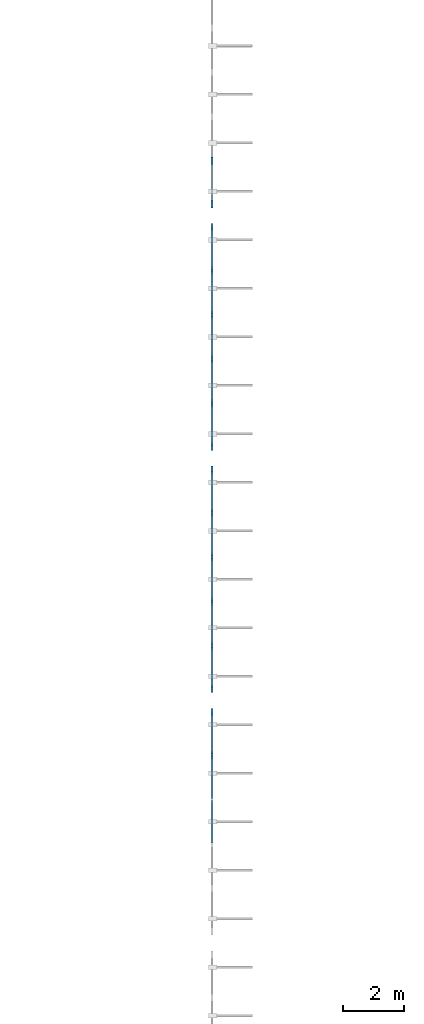
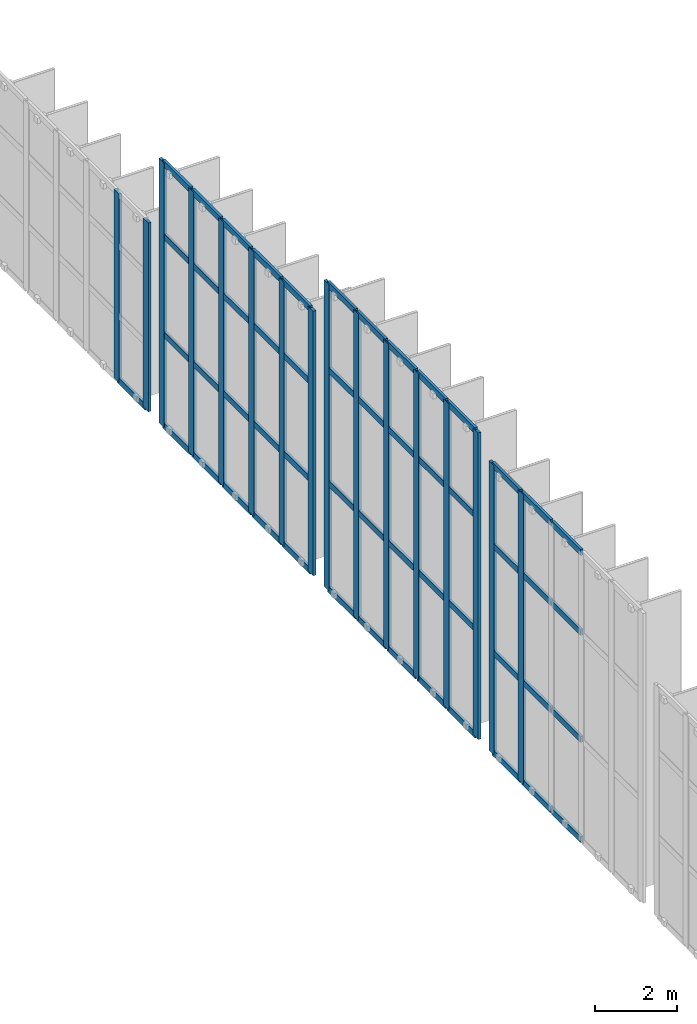
# One storey, part 9 of 38: 69 members, 4 elements without a shape of their own.
"""IFC4 building model written with IfcOpenShell, lengths in metres."""

from ifc_helpers import new_model, si_unit, direction, frame, origin, origin_2d, place, context, subcontext, project, spatial, rectangle, extrude, material, layer, layer_set, material_profile, profile_set, type_object, element, aggregate, save


model = new_model("IFC4")

# Units and contexts
model_context = context("Model", 3, precision=1e-05, world=origin(), true_north=direction((0.0, 1.0)))
body_context = subcontext(model_context, "Body", "Model", "MODEL_VIEW")
ifc_project = project(units=[si_unit("LENGTHUNIT", "METRE"), si_unit("AREAUNIT", "SQUARE_METRE"), si_unit("VOLUMEUNIT", "CUBIC_METRE"), si_unit("PLANEANGLEUNIT", "RADIAN"), si_unit("MASSUNIT", "GRAM", prefix="KILO")], contexts=[model_context])

# Site, building, storey
site_placement = place(None, origin())
site = spatial("IfcSite", under=ifc_project, at=site_placement, CompositionType="ELEMENT")
building_placement = place(site_placement, origin())
building = spatial("IfcBuilding", under=site, at=building_placement, Name="Drelvana Railside Aquatics Centre", CompositionType="ELEMENT")
storey_placement = place(building_placement, frame((0.0, 0.0, 14.39990234375)))
storey = spatial("IfcBuildingStorey", under=building, at=storey_placement, Name="L03", CompositionType="ELEMENT", Elevation=14.39990234375)

# Curtain wall, members
ifc_material_1 = material(Name="Bronze-anodised aluminium curtain wall", Category="aluminium")
ifc_layer = layer(ifc_material_1, 0.219970703125, Name="Bronze-anodised aluminium curtain wall")
ifc_layer_set = layer_set([ifc_layer], Name="Bronze-anodised aluminium curtain wall")
curtain_wall_type = type_object("IfcCurtainWallType", Name="CW-Z3-HIGH", PredefinedType="NOTDEFINED", material=ifc_layer_set)
curtain_wall_1_placement = place(storey_placement, origin())
curtain_wall_1 = element("IfcCurtainWall", 1, at=curtain_wall_1_placement, inside=storey, type_object=curtain_wall_type, Name="Curtain wall CW-03-066", PredefinedType="NOTDEFINED")
ifc_material_2 = material(Name="Bronze-anodised aluminium 6063-T6", Category="aluminium")
ifc_material_profile_1 = material_profile(ifc_material_2, rectangle(XDim=0.080078125, YDim=0.25, at=origin_2d()), Name="ALU-M 80x250")
ifc_profile_set_1 = profile_set([ifc_material_profile_1], Name="Bronze-anodised aluminium 6063-T6")
member_type_1 = type_object("IfcMemberType", Name="CW-Z3-HIGH-MUL", PredefinedType="MULLION", material=ifc_profile_set_1)
member_1_placement = place(storey_placement, frame((96.0, 46.193603515625, -0.005859375), z_axis=(0.0, 0.0, 1.0), x_axis=(-1.0, 0.0, 0.0)))
member_1 = element("IfcMember", 2, at=member_1_placement, type_object=member_type_1, Name="CW-03 mullion 5", PredefinedType="MULLION", context=body_context, shape_type="SweptSolid", body=[
    extrude(rectangle(XDim=0.080078125, YDim=0.25, at=origin_2d()), origin(), (0.0, 0.0, 1.0), 8.576904296875),
])
member_2_placement = place(storey_placement, frame((96.0, 47.615966796875, -0.005859375), z_axis=(0.0, 0.0, 1.0), x_axis=(-1.0, 0.0, 0.0)))
member_2 = element("IfcMember", 3, at=member_2_placement, type_object=member_type_1, Name="CW-03 mullion 6", PredefinedType="MULLION", context=body_context, shape_type="SweptSolid", body=[
    extrude(rectangle(XDim=0.080078125, YDim=0.25, at=origin_2d()), origin(), (0.0, 0.0, 1.0), 8.576904296875),
])

curtain_wall_2_placement = place(storey_placement, origin())
curtain_wall_2 = element("IfcCurtainWall", 4, at=curtain_wall_2_placement, inside=storey, type_object=curtain_wall_type, Name="Curtain wall CW-03-069", PredefinedType="NOTDEFINED")
member_3_placement = place(storey_placement, frame((96.0, 48.384033203125, -0.005859375), z_axis=(0.0, 0.0, 1.0), x_axis=(-1.0, 0.0, 0.0)))
member_3 = element("IfcMember", 5, at=member_3_placement, type_object=member_type_1, Name="CW-03 mullion 1", PredefinedType="MULLION", context=body_context, shape_type="SweptSolid", body=[
    extrude(rectangle(XDim=0.080078125, YDim=0.25, at=origin_2d()), origin(), (0.0, 0.0, 1.0), 9.075927734375),
])
member_4_placement = place(storey_placement, frame((96.0, 49.806396484375, -0.005859375), z_axis=(0.0, 0.0, 1.0), x_axis=(-1.0, 0.0, 0.0)))
member_4 = element("IfcMember", 6, at=member_4_placement, type_object=member_type_1, Name="CW-03 mullion 2", PredefinedType="MULLION", context=body_context, shape_type="SweptSolid", body=[
    extrude(rectangle(XDim=0.080078125, YDim=0.25, at=origin_2d()), origin(), (0.0, 0.0, 1.0), 9.075927734375),
])
member_5_placement = place(storey_placement, frame((96.0, 51.268798828125, -0.005859375), z_axis=(0.0, 0.0, 1.0), x_axis=(-1.0, 0.0, 0.0)))
member_5 = element("IfcMember", 7, at=member_5_placement, type_object=member_type_1, Name="CW-03 mullion 3", PredefinedType="MULLION", context=body_context, shape_type="SweptSolid", body=[
    extrude(rectangle(XDim=0.080078125, YDim=0.25, at=origin_2d()), origin(), (0.0, 0.0, 1.0), 9.075927734375),
])
member_6_placement = place(storey_placement, frame((96.0, 52.731201171875, -0.005859375), z_axis=(0.0, 0.0, 1.0), x_axis=(-1.0, 0.0, 0.0)))
member_6 = element("IfcMember", 8, at=member_6_placement, type_object=member_type_1, Name="CW-03 mullion 4", PredefinedType="MULLION", context=body_context, shape_type="SweptSolid", body=[
    extrude(rectangle(XDim=0.080078125, YDim=0.25, at=origin_2d()), origin(), (0.0, 0.0, 1.0), 9.075927734375),
])
member_7_placement = place(storey_placement, frame((96.0, 54.193603515625, -0.005859375), z_axis=(0.0, 0.0, 1.0), x_axis=(-1.0, 0.0, 0.0)))
member_7 = element("IfcMember", 9, at=member_7_placement, type_object=member_type_1, Name="CW-03 mullion 5", PredefinedType="MULLION", context=body_context, shape_type="SweptSolid", body=[
    extrude(rectangle(XDim=0.080078125, YDim=0.25, at=origin_2d()), origin(), (0.0, 0.0, 1.0), 9.075927734375),
])
member_8_placement = place(storey_placement, frame((96.0, 55.615966796875, -0.005859375), z_axis=(0.0, 0.0, 1.0), x_axis=(-1.0, 0.0, 0.0)))
member_8 = element("IfcMember", 10, at=member_8_placement, type_object=member_type_1, Name="CW-03 mullion 6", PredefinedType="MULLION", context=body_context, shape_type="SweptSolid", body=[
    extrude(rectangle(XDim=0.080078125, YDim=0.25, at=origin_2d()), origin(), (0.0, 0.0, 1.0), 9.075927734375),
])

curtain_wall_3_placement = place(storey_placement, origin())
curtain_wall_3 = element("IfcCurtainWall", 11, at=curtain_wall_3_placement, inside=storey, type_object=curtain_wall_type, Name="Curtain wall CW-03-073", PredefinedType="NOTDEFINED")
member_9_placement = place(storey_placement, frame((96.0, 56.384033203125, -0.005859375), z_axis=(0.0, 0.0, 1.0), x_axis=(-1.0, 0.0, 0.0)))
member_9 = element("IfcMember", 12, at=member_9_placement, type_object=member_type_1, Name="CW-03 mullion 1", PredefinedType="MULLION", context=body_context, shape_type="SweptSolid", body=[
    extrude(rectangle(XDim=0.080078125, YDim=0.25, at=origin_2d()), origin(), (0.0, 0.0, 1.0), 7.830078125),
])
member_10_placement = place(storey_placement, frame((96.0, 57.806396484375, -0.005859375), z_axis=(0.0, 0.0, 1.0), x_axis=(-1.0, 0.0, 0.0)))
member_10 = element("IfcMember", 13, at=member_10_placement, type_object=member_type_1, Name="CW-03 mullion 2", PredefinedType="MULLION", context=body_context, shape_type="SweptSolid", body=[
    extrude(rectangle(XDim=0.080078125, YDim=0.25, at=origin_2d()), origin(), (0.0, 0.0, 1.0), 7.830078125),
])
member_11_placement = place(storey_placement, frame((96.0, 59.268798828125, -0.005859375), z_axis=(0.0, 0.0, 1.0), x_axis=(-1.0, 0.0, 0.0)))
member_11 = element("IfcMember", 14, at=member_11_placement, type_object=member_type_1, Name="CW-03 mullion 3", PredefinedType="MULLION", context=body_context, shape_type="SweptSolid", body=[
    extrude(rectangle(XDim=0.080078125, YDim=0.25, at=origin_2d()), origin(), (0.0, 0.0, 1.0), 7.830078125),
])
member_12_placement = place(storey_placement, frame((96.0, 60.731201171875, -0.005859375), z_axis=(0.0, 0.0, 1.0), x_axis=(-1.0, 0.0, 0.0)))
member_12 = element("IfcMember", 15, at=member_12_placement, type_object=member_type_1, Name="CW-03 mullion 4", PredefinedType="MULLION", context=body_context, shape_type="SweptSolid", body=[
    extrude(rectangle(XDim=0.080078125, YDim=0.25, at=origin_2d()), origin(), (0.0, 0.0, 1.0), 7.830078125),
])
member_13_placement = place(storey_placement, frame((96.0, 62.193603515625, -0.005859375), z_axis=(0.0, 0.0, 1.0), x_axis=(-1.0, 0.0, 0.0)))
member_13 = element("IfcMember", 16, at=member_13_placement, type_object=member_type_1, Name="CW-03 mullion 5", PredefinedType="MULLION", context=body_context, shape_type="SweptSolid", body=[
    extrude(rectangle(XDim=0.080078125, YDim=0.25, at=origin_2d()), origin(), (0.0, 0.0, 1.0), 7.830078125),
])
member_14_placement = place(storey_placement, frame((96.0, 63.615966796875, -0.005859375), z_axis=(0.0, 0.0, 1.0), x_axis=(-1.0, 0.0, 0.0)))
member_14 = element("IfcMember", 17, at=member_14_placement, type_object=member_type_1, Name="CW-03 mullion 6", PredefinedType="MULLION", context=body_context, shape_type="SweptSolid", body=[
    extrude(rectangle(XDim=0.080078125, YDim=0.25, at=origin_2d()), origin(), (0.0, 0.0, 1.0), 7.830078125),
])

curtain_wall_4_placement = place(storey_placement, origin())
curtain_wall_4 = element("IfcCurtainWall", 18, at=curtain_wall_4_placement, inside=storey, type_object=curtain_wall_type, Name="Curtain wall CW-03-077", PredefinedType="NOTDEFINED")
member_15_placement = place(storey_placement, frame((96.0, 64.384033203125, -0.005859375), z_axis=(0.0, 0.0, 1.0), x_axis=(-1.0, 0.0, 0.0)))
member_15 = element("IfcMember", 19, at=member_15_placement, type_object=member_type_1, Name="CW-03 mullion 1", PredefinedType="MULLION", context=body_context, shape_type="SweptSolid", body=[
    extrude(rectangle(XDim=0.080078125, YDim=0.25, at=origin_2d()), origin(), (0.0, 0.0, 1.0), 5.587890625),
])
member_16_placement = place(storey_placement, frame((96.0, 65.806396484375, -0.005859375), z_axis=(0.0, 0.0, 1.0), x_axis=(-1.0, 0.0, 0.0)))
member_16 = element("IfcMember", 20, at=member_16_placement, type_object=member_type_1, Name="CW-03 mullion 2", PredefinedType="MULLION", context=body_context, shape_type="SweptSolid", body=[
    extrude(rectangle(XDim=0.080078125, YDim=0.25, at=origin_2d()), origin(), (0.0, 0.0, 1.0), 5.587890625),
])

# Member
ifc_material_profile_2 = material_profile(ifc_material_2, rectangle(XDim=0.179931640625, YDim=0.074951171875, at=origin_2d()), Name="ALU-T 75x180")
ifc_profile_set_2 = profile_set([ifc_material_profile_2], Name="Bronze-anodised aluminium 6063-T6")
member_type_2 = type_object("IfcMemberType", Name="CW-Z3-HIGH-TRN", PredefinedType="USERDEFINED", material=ifc_profile_set_2)
member_17_placement = place(storey_placement, frame((96.0, 43.3037109375, 0.031494140625), z_axis=(0.0, 1.0, 0.0), x_axis=(0.0, 0.0, 1.0)))
member_17 = element("IfcMember", 21, at=member_17_placement, type_object=member_type_2, Name="CW-03 transom 3.1", ObjectType="TRANSOM", PredefinedType="USERDEFINED", context=body_context, shape_type="SweptSolid", body=[
    extrude(rectangle(XDim=0.179931640625, YDim=0.074951171875, at=origin_2d()), origin(), (0.0, 0.0, 1.0), 1.392578125),
])

member_18_placement = place(storey_placement, frame((96.0, 43.3037109375, 2.99609375), z_axis=(0.0, 1.0, 0.0), x_axis=(0.0, 0.0, 1.0)))
member_18 = element("IfcMember", 22, at=member_18_placement, type_object=member_type_2, Name="CW-03 transom 3.2", ObjectType="TRANSOM", PredefinedType="USERDEFINED", context=body_context, shape_type="SweptSolid", body=[
    extrude(rectangle(XDim=0.179931640625, YDim=0.074951171875, at=origin_2d()), origin(), (0.0, 0.0, 1.0), 1.392578125),
])

member_19_placement = place(storey_placement, frame((96.0, 43.3037109375, 6.169189453125), z_axis=(0.0, 1.0, 0.0), x_axis=(0.0, 0.0, 1.0)))
member_19 = element("IfcMember", 23, at=member_19_placement, type_object=member_type_2, Name="CW-03 transom 3.3", ObjectType="TRANSOM", PredefinedType="USERDEFINED", context=body_context, shape_type="SweptSolid", body=[
    extrude(rectangle(XDim=0.179931640625, YDim=0.074951171875, at=origin_2d()), origin(), (0.0, 0.0, 1.0), 1.392578125),
])

member_20_placement = place(storey_placement, frame((96.0, 43.3037109375, 8.53369140625), z_axis=(0.0, 1.0, 0.0), x_axis=(0.0, 0.0, 1.0)))
member_20 = element("IfcMember", 24, at=member_20_placement, type_object=member_type_2, Name="CW-03 transom 3.4", ObjectType="TRANSOM", PredefinedType="USERDEFINED", context=body_context, shape_type="SweptSolid", body=[
    extrude(rectangle(XDim=0.179931640625, YDim=0.074951171875, at=origin_2d()), origin(), (0.0, 0.0, 1.0), 1.392578125),
])

member_21_placement = place(storey_placement, frame((96.0, 44.76611328125, 0.031494140625), z_axis=(0.0, 1.0, 0.0), x_axis=(0.0, 0.0, 1.0)))
member_21 = element("IfcMember", 25, at=member_21_placement, type_object=member_type_2, Name="CW-03 transom 4.1", ObjectType="TRANSOM", PredefinedType="USERDEFINED", context=body_context, shape_type="SweptSolid", body=[
    extrude(rectangle(XDim=0.179931640625, YDim=0.074951171875, at=origin_2d()), origin(), (0.0, 0.0, 1.0), 1.392578125),
])

member_22_placement = place(storey_placement, frame((96.0, 44.76611328125, 2.99609375), z_axis=(0.0, 1.0, 0.0), x_axis=(0.0, 0.0, 1.0)))
member_22 = element("IfcMember", 26, at=member_22_placement, type_object=member_type_2, Name="CW-03 transom 4.2", ObjectType="TRANSOM", PredefinedType="USERDEFINED", context=body_context, shape_type="SweptSolid", body=[
    extrude(rectangle(XDim=0.179931640625, YDim=0.074951171875, at=origin_2d()), origin(), (0.0, 0.0, 1.0), 1.392578125),
])

member_23_placement = place(storey_placement, frame((96.0, 44.76611328125, 6.169189453125), z_axis=(0.0, 1.0, 0.0), x_axis=(0.0, 0.0, 1.0)))
member_23 = element("IfcMember", 27, at=member_23_placement, type_object=member_type_2, Name="CW-03 transom 4.3", ObjectType="TRANSOM", PredefinedType="USERDEFINED", context=body_context, shape_type="SweptSolid", body=[
    extrude(rectangle(XDim=0.179931640625, YDim=0.074951171875, at=origin_2d()), origin(), (0.0, 0.0, 1.0), 1.392578125),
])

member_24_placement = place(storey_placement, frame((96.0, 44.76611328125, 8.53369140625), z_axis=(0.0, 1.0, 0.0), x_axis=(0.0, 0.0, 1.0)))
member_24 = element("IfcMember", 28, at=member_24_placement, type_object=member_type_2, Name="CW-03 transom 4.4", ObjectType="TRANSOM", PredefinedType="USERDEFINED", context=body_context, shape_type="SweptSolid", body=[
    extrude(rectangle(XDim=0.179931640625, YDim=0.074951171875, at=origin_2d()), origin(), (0.0, 0.0, 1.0), 1.392578125),
])

member_25_placement = place(storey_placement, frame((96.0, 46.228515625, 0.031494140625), z_axis=(0.0, 1.0, 0.0), x_axis=(0.0, 0.0, 1.0)))
member_25 = element("IfcMember", 29, at=member_25_placement, type_object=member_type_2, Name="CW-03 transom 5.1", ObjectType="TRANSOM", PredefinedType="USERDEFINED", context=body_context, shape_type="SweptSolid", body=[
    extrude(rectangle(XDim=0.179931640625, YDim=0.074951171875, at=origin_2d()), origin(), (0.0, 0.0, 1.0), 1.3525390625),
])

member_26_placement = place(storey_placement, frame((96.0, 46.228515625, 2.99609375), z_axis=(0.0, 1.0, 0.0), x_axis=(0.0, 0.0, 1.0)))
member_26 = element("IfcMember", 30, at=member_26_placement, type_object=member_type_2, Name="CW-03 transom 5.2", ObjectType="TRANSOM", PredefinedType="USERDEFINED", context=body_context, shape_type="SweptSolid", body=[
    extrude(rectangle(XDim=0.179931640625, YDim=0.074951171875, at=origin_2d()), origin(), (0.0, 0.0, 1.0), 1.3525390625),
])

member_27_placement = place(storey_placement, frame((96.0, 46.228515625, 6.169189453125), z_axis=(0.0, 1.0, 0.0), x_axis=(0.0, 0.0, 1.0)))
member_27 = element("IfcMember", 31, at=member_27_placement, type_object=member_type_2, Name="CW-03 transom 5.3", ObjectType="TRANSOM", PredefinedType="USERDEFINED", context=body_context, shape_type="SweptSolid", body=[
    extrude(rectangle(XDim=0.179931640625, YDim=0.074951171875, at=origin_2d()), origin(), (0.0, 0.0, 1.0), 1.3525390625),
])

member_28_placement = place(storey_placement, frame((96.0, 46.228515625, 8.53369140625), z_axis=(0.0, 1.0, 0.0), x_axis=(0.0, 0.0, 1.0)))
member_28 = element("IfcMember", 32, at=member_28_placement, type_object=member_type_2, Name="CW-03 transom 5.4", ObjectType="TRANSOM", PredefinedType="USERDEFINED", context=body_context, shape_type="SweptSolid", body=[
    extrude(rectangle(XDim=0.179931640625, YDim=0.074951171875, at=origin_2d()), origin(), (0.0, 0.0, 1.0), 1.3525390625),
])

aggregate(curtain_wall_1, [member_1, member_2, member_17, member_18, member_19, member_20, member_21, member_22, member_23, member_24, member_25, member_26, member_27, member_28])

member_29_placement = place(storey_placement, frame((96.0, 48.4189453125, 0.031494140625), z_axis=(0.0, 1.0, 0.0), x_axis=(0.0, 0.0, 1.0)))
member_29 = element("IfcMember", 33, at=member_29_placement, type_object=member_type_2, Name="CW-03 transom 1.1", ObjectType="TRANSOM", PredefinedType="USERDEFINED", context=body_context, shape_type="SweptSolid", body=[
    extrude(rectangle(XDim=0.179931640625, YDim=0.074951171875, at=origin_2d()), origin(), (0.0, 0.0, 1.0), 1.3525390625),
])

member_30_placement = place(storey_placement, frame((96.0, 48.4189453125, 3.171142578125), z_axis=(0.0, 1.0, 0.0), x_axis=(0.0, 0.0, 1.0)))
member_30 = element("IfcMember", 34, at=member_30_placement, type_object=member_type_2, Name="CW-03 transom 1.2", ObjectType="TRANSOM", PredefinedType="USERDEFINED", context=body_context, shape_type="SweptSolid", body=[
    extrude(rectangle(XDim=0.179931640625, YDim=0.074951171875, at=origin_2d()), origin(), (0.0, 0.0, 1.0), 1.3525390625),
])

member_31_placement = place(storey_placement, frame((96.0, 48.4189453125, 6.529052734375), z_axis=(0.0, 1.0, 0.0), x_axis=(0.0, 0.0, 1.0)))
member_31 = element("IfcMember", 35, at=member_31_placement, type_object=member_type_2, Name="CW-03 transom 1.3", ObjectType="TRANSOM", PredefinedType="USERDEFINED", context=body_context, shape_type="SweptSolid", body=[
    extrude(rectangle(XDim=0.179931640625, YDim=0.074951171875, at=origin_2d()), origin(), (0.0, 0.0, 1.0), 1.3525390625),
])

member_32_placement = place(storey_placement, frame((96.0, 48.4189453125, 9.03271484375), z_axis=(0.0, 1.0, 0.0), x_axis=(0.0, 0.0, 1.0)))
member_32 = element("IfcMember", 36, at=member_32_placement, type_object=member_type_2, Name="CW-03 transom 1.4", ObjectType="TRANSOM", PredefinedType="USERDEFINED", context=body_context, shape_type="SweptSolid", body=[
    extrude(rectangle(XDim=0.179931640625, YDim=0.074951171875, at=origin_2d()), origin(), (0.0, 0.0, 1.0), 1.3525390625),
])

member_33_placement = place(storey_placement, frame((96.0, 49.84130859375, 0.031494140625), z_axis=(0.0, 1.0, 0.0), x_axis=(0.0, 0.0, 1.0)))
member_33 = element("IfcMember", 37, at=member_33_placement, type_object=member_type_2, Name="CW-03 transom 2.1", ObjectType="TRANSOM", PredefinedType="USERDEFINED", context=body_context, shape_type="SweptSolid", body=[
    extrude(rectangle(XDim=0.179931640625, YDim=0.074951171875, at=origin_2d()), origin(), (0.0, 0.0, 1.0), 1.392578125),
])

member_34_placement = place(storey_placement, frame((96.0, 49.84130859375, 3.171142578125), z_axis=(0.0, 1.0, 0.0), x_axis=(0.0, 0.0, 1.0)))
member_34 = element("IfcMember", 38, at=member_34_placement, type_object=member_type_2, Name="CW-03 transom 2.2", ObjectType="TRANSOM", PredefinedType="USERDEFINED", context=body_context, shape_type="SweptSolid", body=[
    extrude(rectangle(XDim=0.179931640625, YDim=0.074951171875, at=origin_2d()), origin(), (0.0, 0.0, 1.0), 1.392578125),
])

member_35_placement = place(storey_placement, frame((96.0, 49.84130859375, 6.529052734375), z_axis=(0.0, 1.0, 0.0), x_axis=(0.0, 0.0, 1.0)))
member_35 = element("IfcMember", 39, at=member_35_placement, type_object=member_type_2, Name="CW-03 transom 2.3", ObjectType="TRANSOM", PredefinedType="USERDEFINED", context=body_context, shape_type="SweptSolid", body=[
    extrude(rectangle(XDim=0.179931640625, YDim=0.074951171875, at=origin_2d()), origin(), (0.0, 0.0, 1.0), 1.392578125),
])

member_36_placement = place(storey_placement, frame((96.0, 49.84130859375, 9.03271484375), z_axis=(0.0, 1.0, 0.0), x_axis=(0.0, 0.0, 1.0)))
member_36 = element("IfcMember", 40, at=member_36_placement, type_object=member_type_2, Name="CW-03 transom 2.4", ObjectType="TRANSOM", PredefinedType="USERDEFINED", context=body_context, shape_type="SweptSolid", body=[
    extrude(rectangle(XDim=0.179931640625, YDim=0.074951171875, at=origin_2d()), origin(), (0.0, 0.0, 1.0), 1.392578125),
])

member_37_placement = place(storey_placement, frame((96.0, 51.3037109375, 0.031494140625), z_axis=(0.0, 1.0, 0.0), x_axis=(0.0, 0.0, 1.0)))
member_37 = element("IfcMember", 41, at=member_37_placement, type_object=member_type_2, Name="CW-03 transom 3.1", ObjectType="TRANSOM", PredefinedType="USERDEFINED", context=body_context, shape_type="SweptSolid", body=[
    extrude(rectangle(XDim=0.179931640625, YDim=0.074951171875, at=origin_2d()), origin(), (0.0, 0.0, 1.0), 1.392578125),
])

member_38_placement = place(storey_placement, frame((96.0, 51.3037109375, 3.171142578125), z_axis=(0.0, 1.0, 0.0), x_axis=(0.0, 0.0, 1.0)))
member_38 = element("IfcMember", 42, at=member_38_placement, type_object=member_type_2, Name="CW-03 transom 3.2", ObjectType="TRANSOM", PredefinedType="USERDEFINED", context=body_context, shape_type="SweptSolid", body=[
    extrude(rectangle(XDim=0.179931640625, YDim=0.074951171875, at=origin_2d()), origin(), (0.0, 0.0, 1.0), 1.392578125),
])

member_39_placement = place(storey_placement, frame((96.0, 51.3037109375, 6.529052734375), z_axis=(0.0, 1.0, 0.0), x_axis=(0.0, 0.0, 1.0)))
member_39 = element("IfcMember", 43, at=member_39_placement, type_object=member_type_2, Name="CW-03 transom 3.3", ObjectType="TRANSOM", PredefinedType="USERDEFINED", context=body_context, shape_type="SweptSolid", body=[
    extrude(rectangle(XDim=0.179931640625, YDim=0.074951171875, at=origin_2d()), origin(), (0.0, 0.0, 1.0), 1.392578125),
])

member_40_placement = place(storey_placement, frame((96.0, 51.3037109375, 9.03271484375), z_axis=(0.0, 1.0, 0.0), x_axis=(0.0, 0.0, 1.0)))
member_40 = element("IfcMember", 44, at=member_40_placement, type_object=member_type_2, Name="CW-03 transom 3.4", ObjectType="TRANSOM", PredefinedType="USERDEFINED", context=body_context, shape_type="SweptSolid", body=[
    extrude(rectangle(XDim=0.179931640625, YDim=0.074951171875, at=origin_2d()), origin(), (0.0, 0.0, 1.0), 1.392578125),
])

member_41_placement = place(storey_placement, frame((96.0, 52.76611328125, 0.031494140625), z_axis=(0.0, 1.0, 0.0), x_axis=(0.0, 0.0, 1.0)))
member_41 = element("IfcMember", 45, at=member_41_placement, type_object=member_type_2, Name="CW-03 transom 4.1", ObjectType="TRANSOM", PredefinedType="USERDEFINED", context=body_context, shape_type="SweptSolid", body=[
    extrude(rectangle(XDim=0.179931640625, YDim=0.074951171875, at=origin_2d()), origin(), (0.0, 0.0, 1.0), 1.392578125),
])

member_42_placement = place(storey_placement, frame((96.0, 52.76611328125, 3.171142578125), z_axis=(0.0, 1.0, 0.0), x_axis=(0.0, 0.0, 1.0)))
member_42 = element("IfcMember", 46, at=member_42_placement, type_object=member_type_2, Name="CW-03 transom 4.2", ObjectType="TRANSOM", PredefinedType="USERDEFINED", context=body_context, shape_type="SweptSolid", body=[
    extrude(rectangle(XDim=0.179931640625, YDim=0.074951171875, at=origin_2d()), origin(), (0.0, 0.0, 1.0), 1.392578125),
])

member_43_placement = place(storey_placement, frame((96.0, 52.76611328125, 6.529052734375), z_axis=(0.0, 1.0, 0.0), x_axis=(0.0, 0.0, 1.0)))
member_43 = element("IfcMember", 47, at=member_43_placement, type_object=member_type_2, Name="CW-03 transom 4.3", ObjectType="TRANSOM", PredefinedType="USERDEFINED", context=body_context, shape_type="SweptSolid", body=[
    extrude(rectangle(XDim=0.179931640625, YDim=0.074951171875, at=origin_2d()), origin(), (0.0, 0.0, 1.0), 1.392578125),
])

member_44_placement = place(storey_placement, frame((96.0, 52.76611328125, 9.03271484375), z_axis=(0.0, 1.0, 0.0), x_axis=(0.0, 0.0, 1.0)))
member_44 = element("IfcMember", 48, at=member_44_placement, type_object=member_type_2, Name="CW-03 transom 4.4", ObjectType="TRANSOM", PredefinedType="USERDEFINED", context=body_context, shape_type="SweptSolid", body=[
    extrude(rectangle(XDim=0.179931640625, YDim=0.074951171875, at=origin_2d()), origin(), (0.0, 0.0, 1.0), 1.392578125),
])

member_45_placement = place(storey_placement, frame((96.0, 54.228515625, 0.031494140625), z_axis=(0.0, 1.0, 0.0), x_axis=(0.0, 0.0, 1.0)))
member_45 = element("IfcMember", 49, at=member_45_placement, type_object=member_type_2, Name="CW-03 transom 5.1", ObjectType="TRANSOM", PredefinedType="USERDEFINED", context=body_context, shape_type="SweptSolid", body=[
    extrude(rectangle(XDim=0.179931640625, YDim=0.074951171875, at=origin_2d()), origin(), (0.0, 0.0, 1.0), 1.3525390625),
])

member_46_placement = place(storey_placement, frame((96.0, 54.228515625, 3.171142578125), z_axis=(0.0, 1.0, 0.0), x_axis=(0.0, 0.0, 1.0)))
member_46 = element("IfcMember", 50, at=member_46_placement, type_object=member_type_2, Name="CW-03 transom 5.2", ObjectType="TRANSOM", PredefinedType="USERDEFINED", context=body_context, shape_type="SweptSolid", body=[
    extrude(rectangle(XDim=0.179931640625, YDim=0.074951171875, at=origin_2d()), origin(), (0.0, 0.0, 1.0), 1.3525390625),
])

member_47_placement = place(storey_placement, frame((96.0, 54.228515625, 6.529052734375), z_axis=(0.0, 1.0, 0.0), x_axis=(0.0, 0.0, 1.0)))
member_47 = element("IfcMember", 51, at=member_47_placement, type_object=member_type_2, Name="CW-03 transom 5.3", ObjectType="TRANSOM", PredefinedType="USERDEFINED", context=body_context, shape_type="SweptSolid", body=[
    extrude(rectangle(XDim=0.179931640625, YDim=0.074951171875, at=origin_2d()), origin(), (0.0, 0.0, 1.0), 1.3525390625),
])

member_48_placement = place(storey_placement, frame((96.0, 54.228515625, 9.03271484375), z_axis=(0.0, 1.0, 0.0), x_axis=(0.0, 0.0, 1.0)))
member_48 = element("IfcMember", 52, at=member_48_placement, type_object=member_type_2, Name="CW-03 transom 5.4", ObjectType="TRANSOM", PredefinedType="USERDEFINED", context=body_context, shape_type="SweptSolid", body=[
    extrude(rectangle(XDim=0.179931640625, YDim=0.074951171875, at=origin_2d()), origin(), (0.0, 0.0, 1.0), 1.3525390625),
])

aggregate(curtain_wall_2, [member_3, member_4, member_5, member_6, member_7, member_8, member_29, member_30, member_31, member_32, member_33, member_34, member_35, member_36, member_37, member_38, member_39, member_40, member_41, member_42, member_43, member_44, member_45, member_46, member_47, member_48])

member_49_placement = place(storey_placement, frame((96.0, 56.4189453125, 0.031494140625), z_axis=(0.0, 1.0, 0.0), x_axis=(0.0, 0.0, 1.0)))
member_49 = element("IfcMember", 53, at=member_49_placement, type_object=member_type_2, Name="CW-03 transom 1.1", ObjectType="TRANSOM", PredefinedType="USERDEFINED", context=body_context, shape_type="SweptSolid", body=[
    extrude(rectangle(XDim=0.179931640625, YDim=0.074951171875, at=origin_2d()), origin(), (0.0, 0.0, 1.0), 1.3525390625),
])

member_50_placement = place(storey_placement, frame((96.0, 56.4189453125, 2.734130859375), z_axis=(0.0, 1.0, 0.0), x_axis=(0.0, 0.0, 1.0)))
member_50 = element("IfcMember", 54, at=member_50_placement, type_object=member_type_2, Name="CW-03 transom 1.2", ObjectType="TRANSOM", PredefinedType="USERDEFINED", context=body_context, shape_type="SweptSolid", body=[
    extrude(rectangle(XDim=0.179931640625, YDim=0.074951171875, at=origin_2d()), origin(), (0.0, 0.0, 1.0), 1.3525390625),
])

member_51_placement = place(storey_placement, frame((96.0, 56.4189453125, 5.632080078125), z_axis=(0.0, 1.0, 0.0), x_axis=(0.0, 0.0, 1.0)))
member_51 = element("IfcMember", 55, at=member_51_placement, type_object=member_type_2, Name="CW-03 transom 1.3", ObjectType="TRANSOM", PredefinedType="USERDEFINED", context=body_context, shape_type="SweptSolid", body=[
    extrude(rectangle(XDim=0.179931640625, YDim=0.074951171875, at=origin_2d()), origin(), (0.0, 0.0, 1.0), 1.3525390625),
])

member_52_placement = place(storey_placement, frame((96.0, 56.4189453125, 7.78662109375), z_axis=(0.0, 1.0, 0.0), x_axis=(0.0, 0.0, 1.0)))
member_52 = element("IfcMember", 56, at=member_52_placement, type_object=member_type_2, Name="CW-03 transom 1.4", ObjectType="TRANSOM", PredefinedType="USERDEFINED", context=body_context, shape_type="SweptSolid", body=[
    extrude(rectangle(XDim=0.179931640625, YDim=0.074951171875, at=origin_2d()), origin(), (0.0, 0.0, 1.0), 1.3525390625),
])

member_53_placement = place(storey_placement, frame((96.0, 57.84130859375, 0.031494140625), z_axis=(0.0, 1.0, 0.0), x_axis=(0.0, 0.0, 1.0)))
member_53 = element("IfcMember", 57, at=member_53_placement, type_object=member_type_2, Name="CW-03 transom 2.1", ObjectType="TRANSOM", PredefinedType="USERDEFINED", context=body_context, shape_type="SweptSolid", body=[
    extrude(rectangle(XDim=0.179931640625, YDim=0.074951171875, at=origin_2d()), origin(), (0.0, 0.0, 1.0), 1.392578125),
])

member_54_placement = place(storey_placement, frame((96.0, 57.84130859375, 2.734130859375), z_axis=(0.0, 1.0, 0.0), x_axis=(0.0, 0.0, 1.0)))
member_54 = element("IfcMember", 58, at=member_54_placement, type_object=member_type_2, Name="CW-03 transom 2.2", ObjectType="TRANSOM", PredefinedType="USERDEFINED", context=body_context, shape_type="SweptSolid", body=[
    extrude(rectangle(XDim=0.179931640625, YDim=0.074951171875, at=origin_2d()), origin(), (0.0, 0.0, 1.0), 1.392578125),
])

member_55_placement = place(storey_placement, frame((96.0, 57.84130859375, 5.632080078125), z_axis=(0.0, 1.0, 0.0), x_axis=(0.0, 0.0, 1.0)))
member_55 = element("IfcMember", 59, at=member_55_placement, type_object=member_type_2, Name="CW-03 transom 2.3", ObjectType="TRANSOM", PredefinedType="USERDEFINED", context=body_context, shape_type="SweptSolid", body=[
    extrude(rectangle(XDim=0.179931640625, YDim=0.074951171875, at=origin_2d()), origin(), (0.0, 0.0, 1.0), 1.392578125),
])

member_56_placement = place(storey_placement, frame((96.0, 57.84130859375, 7.78662109375), z_axis=(0.0, 1.0, 0.0), x_axis=(0.0, 0.0, 1.0)))
member_56 = element("IfcMember", 60, at=member_56_placement, type_object=member_type_2, Name="CW-03 transom 2.4", ObjectType="TRANSOM", PredefinedType="USERDEFINED", context=body_context, shape_type="SweptSolid", body=[
    extrude(rectangle(XDim=0.179931640625, YDim=0.074951171875, at=origin_2d()), origin(), (0.0, 0.0, 1.0), 1.392578125),
])

member_57_placement = place(storey_placement, frame((96.0, 59.3037109375, 0.031494140625), z_axis=(0.0, 1.0, 0.0), x_axis=(0.0, 0.0, 1.0)))
member_57 = element("IfcMember", 61, at=member_57_placement, type_object=member_type_2, Name="CW-03 transom 3.1", ObjectType="TRANSOM", PredefinedType="USERDEFINED", context=body_context, shape_type="SweptSolid", body=[
    extrude(rectangle(XDim=0.179931640625, YDim=0.074951171875, at=origin_2d()), origin(), (0.0, 0.0, 1.0), 1.392578125),
])

member_58_placement = place(storey_placement, frame((96.0, 59.3037109375, 2.734130859375), z_axis=(0.0, 1.0, 0.0), x_axis=(0.0, 0.0, 1.0)))
member_58 = element("IfcMember", 62, at=member_58_placement, type_object=member_type_2, Name="CW-03 transom 3.2", ObjectType="TRANSOM", PredefinedType="USERDEFINED", context=body_context, shape_type="SweptSolid", body=[
    extrude(rectangle(XDim=0.179931640625, YDim=0.074951171875, at=origin_2d()), origin(), (0.0, 0.0, 1.0), 1.392578125),
])

member_59_placement = place(storey_placement, frame((96.0, 59.3037109375, 5.632080078125), z_axis=(0.0, 1.0, 0.0), x_axis=(0.0, 0.0, 1.0)))
member_59 = element("IfcMember", 63, at=member_59_placement, type_object=member_type_2, Name="CW-03 transom 3.3", ObjectType="TRANSOM", PredefinedType="USERDEFINED", context=body_context, shape_type="SweptSolid", body=[
    extrude(rectangle(XDim=0.179931640625, YDim=0.074951171875, at=origin_2d()), origin(), (0.0, 0.0, 1.0), 1.392578125),
])

member_60_placement = place(storey_placement, frame((96.0, 59.3037109375, 7.78662109375), z_axis=(0.0, 1.0, 0.0), x_axis=(0.0, 0.0, 1.0)))
member_60 = element("IfcMember", 64, at=member_60_placement, type_object=member_type_2, Name="CW-03 transom 3.4", ObjectType="TRANSOM", PredefinedType="USERDEFINED", context=body_context, shape_type="SweptSolid", body=[
    extrude(rectangle(XDim=0.179931640625, YDim=0.074951171875, at=origin_2d()), origin(), (0.0, 0.0, 1.0), 1.392578125),
])

member_61_placement = place(storey_placement, frame((96.0, 60.76611328125, 0.031494140625), z_axis=(0.0, 1.0, 0.0), x_axis=(0.0, 0.0, 1.0)))
member_61 = element("IfcMember", 65, at=member_61_placement, type_object=member_type_2, Name="CW-03 transom 4.1", ObjectType="TRANSOM", PredefinedType="USERDEFINED", context=body_context, shape_type="SweptSolid", body=[
    extrude(rectangle(XDim=0.179931640625, YDim=0.074951171875, at=origin_2d()), origin(), (0.0, 0.0, 1.0), 1.392578125),
])

member_62_placement = place(storey_placement, frame((96.0, 60.76611328125, 2.734130859375), z_axis=(0.0, 1.0, 0.0), x_axis=(0.0, 0.0, 1.0)))
member_62 = element("IfcMember", 66, at=member_62_placement, type_object=member_type_2, Name="CW-03 transom 4.2", ObjectType="TRANSOM", PredefinedType="USERDEFINED", context=body_context, shape_type="SweptSolid", body=[
    extrude(rectangle(XDim=0.179931640625, YDim=0.074951171875, at=origin_2d()), origin(), (0.0, 0.0, 1.0), 1.392578125),
])

member_63_placement = place(storey_placement, frame((96.0, 60.76611328125, 5.632080078125), z_axis=(0.0, 1.0, 0.0), x_axis=(0.0, 0.0, 1.0)))
member_63 = element("IfcMember", 67, at=member_63_placement, type_object=member_type_2, Name="CW-03 transom 4.3", ObjectType="TRANSOM", PredefinedType="USERDEFINED", context=body_context, shape_type="SweptSolid", body=[
    extrude(rectangle(XDim=0.179931640625, YDim=0.074951171875, at=origin_2d()), origin(), (0.0, 0.0, 1.0), 1.392578125),
])

member_64_placement = place(storey_placement, frame((96.0, 60.76611328125, 7.78662109375), z_axis=(0.0, 1.0, 0.0), x_axis=(0.0, 0.0, 1.0)))
member_64 = element("IfcMember", 68, at=member_64_placement, type_object=member_type_2, Name="CW-03 transom 4.4", ObjectType="TRANSOM", PredefinedType="USERDEFINED", context=body_context, shape_type="SweptSolid", body=[
    extrude(rectangle(XDim=0.179931640625, YDim=0.074951171875, at=origin_2d()), origin(), (0.0, 0.0, 1.0), 1.392578125),
])

member_65_placement = place(storey_placement, frame((96.0, 62.228515625, 0.031494140625), z_axis=(0.0, 1.0, 0.0), x_axis=(0.0, 0.0, 1.0)))
member_65 = element("IfcMember", 69, at=member_65_placement, type_object=member_type_2, Name="CW-03 transom 5.1", ObjectType="TRANSOM", PredefinedType="USERDEFINED", context=body_context, shape_type="SweptSolid", body=[
    extrude(rectangle(XDim=0.179931640625, YDim=0.074951171875, at=origin_2d()), origin(), (0.0, 0.0, 1.0), 1.3525390625),
])

member_66_placement = place(storey_placement, frame((96.0, 62.228515625, 2.734130859375), z_axis=(0.0, 1.0, 0.0), x_axis=(0.0, 0.0, 1.0)))
member_66 = element("IfcMember", 70, at=member_66_placement, type_object=member_type_2, Name="CW-03 transom 5.2", ObjectType="TRANSOM", PredefinedType="USERDEFINED", context=body_context, shape_type="SweptSolid", body=[
    extrude(rectangle(XDim=0.179931640625, YDim=0.074951171875, at=origin_2d()), origin(), (0.0, 0.0, 1.0), 1.3525390625),
])

member_67_placement = place(storey_placement, frame((96.0, 62.228515625, 5.632080078125), z_axis=(0.0, 1.0, 0.0), x_axis=(0.0, 0.0, 1.0)))
member_67 = element("IfcMember", 71, at=member_67_placement, type_object=member_type_2, Name="CW-03 transom 5.3", ObjectType="TRANSOM", PredefinedType="USERDEFINED", context=body_context, shape_type="SweptSolid", body=[
    extrude(rectangle(XDim=0.179931640625, YDim=0.074951171875, at=origin_2d()), origin(), (0.0, 0.0, 1.0), 1.3525390625),
])

member_68_placement = place(storey_placement, frame((96.0, 62.228515625, 7.78662109375), z_axis=(0.0, 1.0, 0.0), x_axis=(0.0, 0.0, 1.0)))
member_68 = element("IfcMember", 72, at=member_68_placement, type_object=member_type_2, Name="CW-03 transom 5.4", ObjectType="TRANSOM", PredefinedType="USERDEFINED", context=body_context, shape_type="SweptSolid", body=[
    extrude(rectangle(XDim=0.179931640625, YDim=0.074951171875, at=origin_2d()), origin(), (0.0, 0.0, 1.0), 1.3525390625),
])

aggregate(curtain_wall_3, [member_9, member_10, member_11, member_12, member_13, member_14, member_49, member_50, member_51, member_52, member_53, member_54, member_55, member_56, member_57, member_58, member_59, member_60, member_61, member_62, member_63, member_64, member_65, member_66, member_67, member_68])

member_69_placement = place(storey_placement, frame((96.0, 64.4189453125, 0.031494140625), z_axis=(0.0, 1.0, 0.0), x_axis=(0.0, 0.0, 1.0)))
member_69 = element("IfcMember", 73, at=member_69_placement, type_object=member_type_2, Name="CW-03 transom 1.1", ObjectType="TRANSOM", PredefinedType="USERDEFINED", context=body_context, shape_type="SweptSolid", body=[
    extrude(rectangle(XDim=0.179931640625, YDim=0.074951171875, at=origin_2d()), origin(), (0.0, 0.0, 1.0), 1.3525390625),
])

aggregate(curtain_wall_4, [member_15, member_16, member_69])

save(model, "model.ifc")
